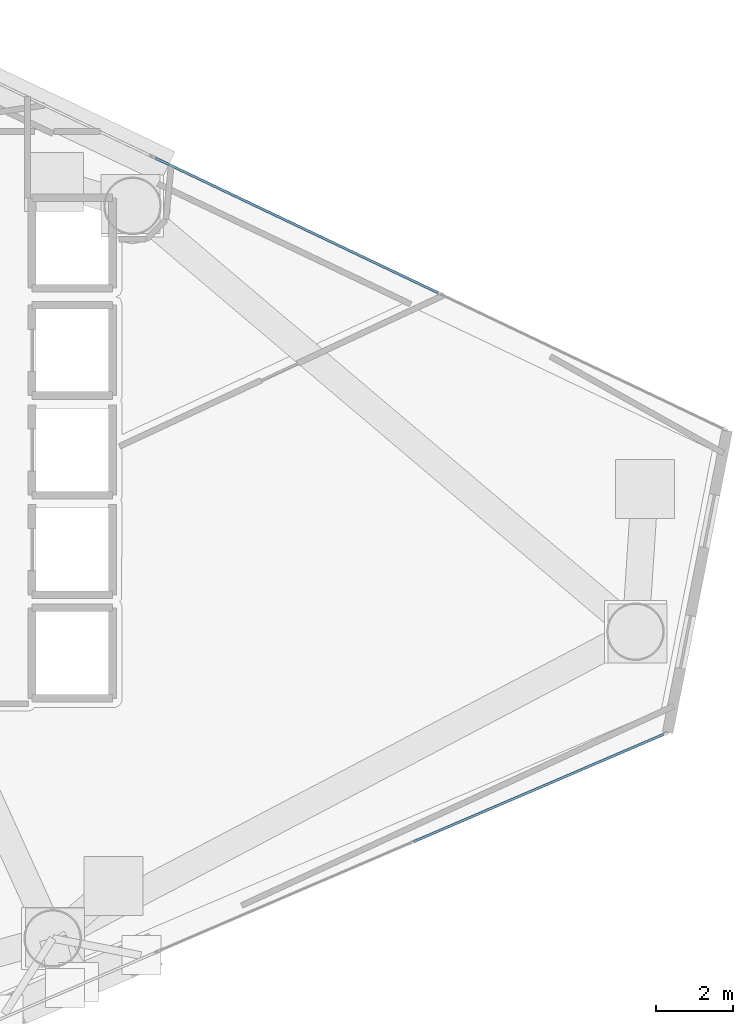
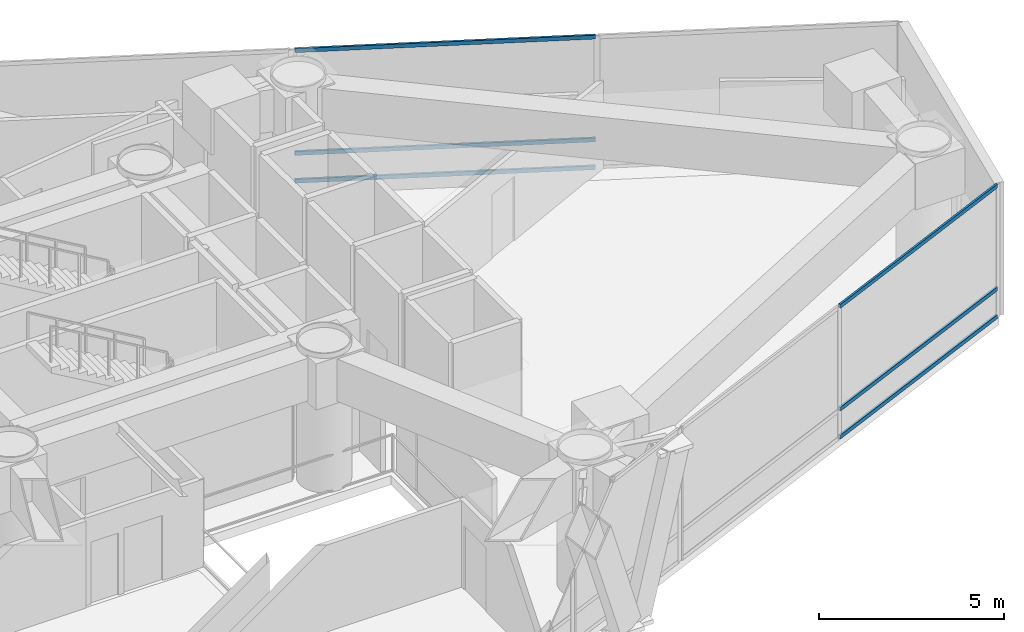
# One storey, part 14 of 22: 6 members, 2 elements without a shape of their own.
"""IFC4 building model written with IfcOpenShell, lengths in metres."""

from ifc_helpers import new_model, si_unit, direction, frame, origin, origin_2d, place, context, subcontext, project, spatial, hollow_rectangle, extrude, material, layer, layer_set, material_profile, profile_set, type_object, element, aggregate, save


model = new_model("IFC4")

# Units and contexts
model_context = context("Model", 3, precision=1e-05, world=origin(), true_north=direction((0.0, 1.0)))
body_context = subcontext(model_context, "Body", "Model", "MODEL_VIEW")
ifc_project = project(units=[si_unit("LENGTHUNIT", "METRE"), si_unit("AREAUNIT", "SQUARE_METRE"), si_unit("VOLUMEUNIT", "CUBIC_METRE"), si_unit("PLANEANGLEUNIT", "RADIAN"), si_unit("MASSUNIT", "GRAM", prefix="KILO")], contexts=[model_context])

# Site, building, storey
site_placement = place(None, origin())
site = spatial("IfcSite", under=ifc_project, at=site_placement, CompositionType="ELEMENT")
building_placement = place(site_placement, origin())
building = spatial("IfcBuilding", under=site, at=building_placement, Name="Qianvela Tower", CompositionType="ELEMENT")
storey_placement = place(building_placement, frame((0.0, 0.0, 138.5)))
storey = spatial("IfcBuildingStorey", under=building, at=storey_placement, Name="L35", CompositionType="ELEMENT", Elevation=138.5)

# Curtain wall, members
ifc_material_1 = material(Name="Anodised Architectural Aluminium and Low-E Glass", Category="aluminium")
ifc_layer = layer(ifc_material_1, 0.169921875)
ifc_layer_set = layer_set([ifc_layer], Name="Anodised Architectural Aluminium and Low-E Glass")
curtain_wall_type = type_object("IfcCurtainWallType", Name="CW-COLIV-Z34", PredefinedType="USERDEFINED", material=ifc_layer_set)
curtain_wall_1_placement = place(storey_placement, origin())
curtain_wall_1 = element("IfcCurtainWall", 1, at=curtain_wall_1_placement, inside=storey, type_object=curtain_wall_type, Name="L35 CW-COLIV-Z34 Curtain Wall 02A", ObjectType="CURTAIN_WALL_SYSTEM", PredefinedType="USERDEFINED")
ifc_material_2 = material(Name="Anodised Architectural Aluminium 6063-T6", Category="aluminium")
ifc_material_profile = material_profile(ifc_material_2, hollow_rectangle(XDim=0.06494140625, YDim=0.1298828125, WallThickness=0.00439453125, at=origin_2d()), Name="ALU-TRAN-65x130")
ifc_profile_set = profile_set([ifc_material_profile], Name="Anodised Architectural Aluminium 6063-T6")
member_type = type_object("IfcMemberType", Name="CW-COLIV-Z34-TRAN", PredefinedType="USERDEFINED", material=ifc_profile_set)
member_1_placement = place(storey_placement, frame((52.051513671875, 32.798583984375, 0.032470703125), z_axis=(-0.902789783126, 0.430082093888, 0.0), x_axis=(-0.430082093888, -0.902789783126, 0.0)))
member_1 = element("IfcMember", 2, at=member_1_placement, type_object=member_type, Name="CW-4 transom 2.1", ObjectType="TRANSOM", PredefinedType="USERDEFINED", context=body_context, shape_type="SweptSolid", body=[
    extrude(hollow_rectangle(XDim=0.06494140625, YDim=0.1298828125, WallThickness=0.00439453125, at=origin_2d()), origin(), (0.0, 0.0, 1.0), 8.16748046875),
])
member_2_placement = place(storey_placement, frame((52.051513671875, 32.798583984375, 0.949951171875), z_axis=(-0.902789783126, 0.430082093888, 0.0), x_axis=(-0.430082093888, -0.902789783126, 0.0)))
member_2 = element("IfcMember", 3, at=member_2_placement, type_object=member_type, Name="CW-4 transom 2.2", ObjectType="TRANSOM", PredefinedType="USERDEFINED", context=body_context, shape_type="SweptSolid", body=[
    extrude(hollow_rectangle(XDim=0.06494140625, YDim=0.1298828125, WallThickness=0.00439453125, at=origin_2d()), origin(), (0.0, 0.0, 1.0), 8.16748046875),
])
member_3_placement = place(storey_placement, frame((52.051513671875, 32.798583984375, 4.347412109375), z_axis=(-0.902789783126, 0.430082093888, 0.0), x_axis=(-0.430082093888, -0.902789783126, 0.0)))
member_3 = element("IfcMember", 4, at=member_3_placement, type_object=member_type, Name="CW-4 transom 2.3", ObjectType="TRANSOM", PredefinedType="USERDEFINED", context=body_context, shape_type="SweptSolid", body=[
    extrude(hollow_rectangle(XDim=0.06494140625, YDim=0.1298828125, WallThickness=0.00439453125, at=origin_2d()), origin(), (0.0, 0.0, 1.0), 8.16748046875),
])
aggregate(curtain_wall_1, [member_1, member_2, member_3])

curtain_wall_2_placement = place(storey_placement, origin())
curtain_wall_2 = element("IfcCurtainWall", 5, at=curtain_wall_2_placement, inside=storey, type_object=curtain_wall_type, Name="L35 CW-COLIV-Z34 Curtain Wall 06C", ObjectType="CURTAIN_WALL_SYSTEM", PredefinedType="USERDEFINED")
member_4_placement = place(storey_placement, frame((51.405517578125, 18.4794921875, 0.032470703125), z_axis=(0.918913625311, 0.394458805476, 0.0), x_axis=(-0.394458805476, 0.918913625311, 0.0)))
member_4 = element("IfcMember", 6, at=member_4_placement, type_object=member_type, Name="CW-4 transom 2.1", ObjectType="TRANSOM", PredefinedType="USERDEFINED", context=body_context, shape_type="SweptSolid", body=[
    extrude(hollow_rectangle(XDim=0.06494140625, YDim=0.1298828125, WallThickness=0.00439453125, at=origin_2d()), origin(), (0.0, 0.0, 1.0), 7.09912109375),
])
member_5_placement = place(storey_placement, frame((51.405517578125, 18.4794921875, 0.949951171875), z_axis=(0.918913625311, 0.394458805476, 0.0), x_axis=(-0.394458805476, 0.918913625311, 0.0)))
member_5 = element("IfcMember", 7, at=member_5_placement, type_object=member_type, Name="CW-4 transom 2.2", ObjectType="TRANSOM", PredefinedType="USERDEFINED", context=body_context, shape_type="SweptSolid", body=[
    extrude(hollow_rectangle(XDim=0.06494140625, YDim=0.1298828125, WallThickness=0.00439453125, at=origin_2d()), origin(), (0.0, 0.0, 1.0), 7.09912109375),
])
member_6_placement = place(storey_placement, frame((51.405517578125, 18.4794921875, 4.347412109375), z_axis=(0.918913625311, 0.394458805476, 0.0), x_axis=(-0.394458805476, 0.918913625311, 0.0)))
member_6 = element("IfcMember", 8, at=member_6_placement, type_object=member_type, Name="CW-4 transom 2.3", ObjectType="TRANSOM", PredefinedType="USERDEFINED", context=body_context, shape_type="SweptSolid", body=[
    extrude(hollow_rectangle(XDim=0.06494140625, YDim=0.1298828125, WallThickness=0.00439453125, at=origin_2d()), origin(), (0.0, 0.0, 1.0), 7.09912109375),
])
aggregate(curtain_wall_2, [member_4, member_5, member_6])

save(model, "model.ifc")
